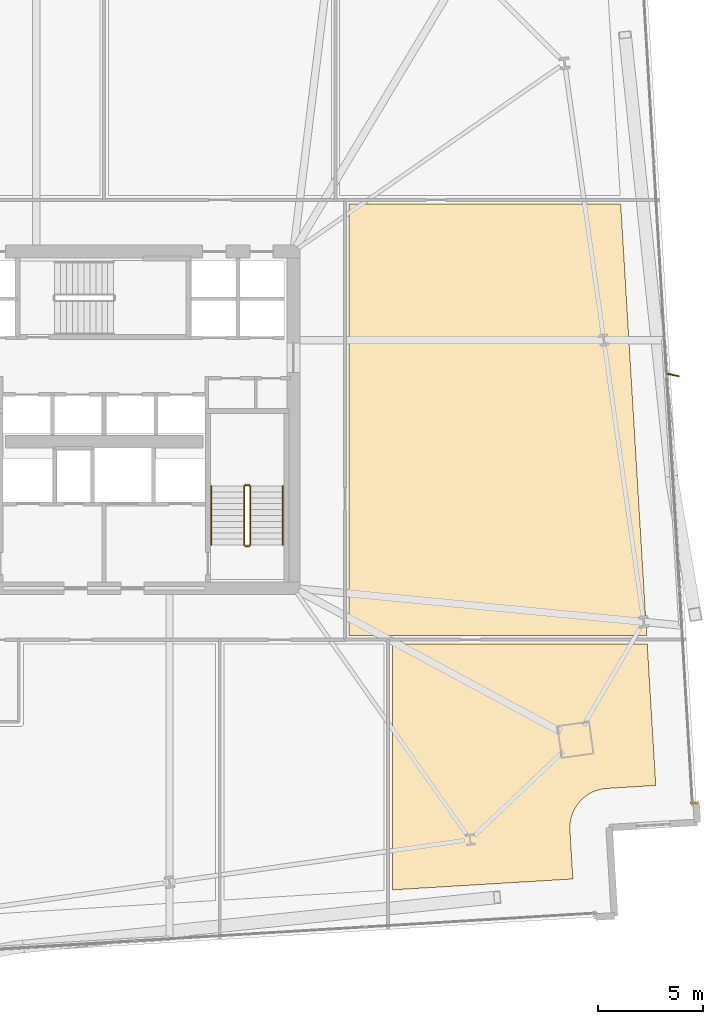
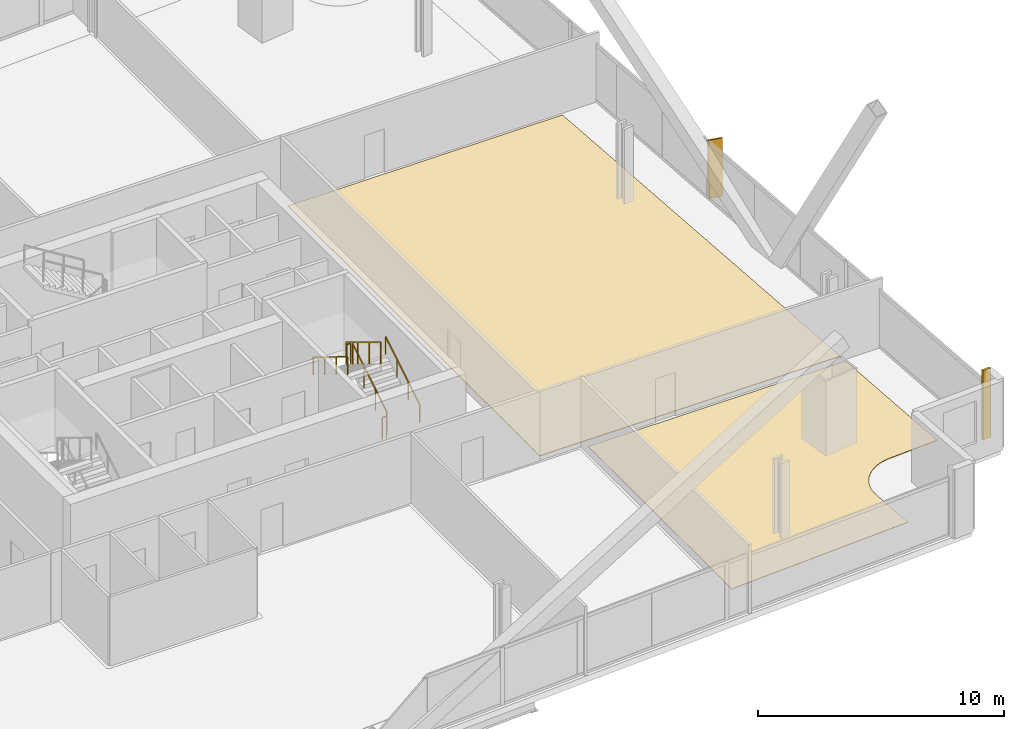
# One storey, part 32 of 34: 6 railings, 3 coverings, 1 shading device.
"""IFC4 building model written with IfcOpenShell, lengths in metres."""

from ifc_helpers import new_model, si_unit, direction, frame, origin, origin_2d, place, context, subcontext, project, spatial, polyline, rectangle, outline, extrude, source, transform, mapped, material, layer, layer_set, type_object, element, save


model = new_model("IFC4")

# Units and contexts
model_context = context("Model", 3, precision=1e-05, world=origin(), true_north=direction((0.0, 1.0)))
body_context = subcontext(model_context, "Body", "Model", "MODEL_VIEW")
ifc_project = project(units=[si_unit("LENGTHUNIT", "METRE"), si_unit("AREAUNIT", "SQUARE_METRE"), si_unit("VOLUMEUNIT", "CUBIC_METRE"), si_unit("PLANEANGLEUNIT", "RADIAN"), si_unit("MASSUNIT", "GRAM", prefix="KILO")], contexts=[model_context])

# Site, building, storey
site_placement = place(None, origin())
site = spatial("IfcSite", under=ifc_project, at=site_placement, CompositionType="ELEMENT")
building_placement = place(site_placement, origin())
building = spatial("IfcBuilding", under=site, at=building_placement, Name="Haldenkirk Collegiate Tower", CompositionType="ELEMENT")
storey_placement = place(building_placement, frame((0.0, 0.0, 40.199951171875)))
storey = spatial("IfcBuildingStorey", under=building, at=storey_placement, Name="L08", CompositionType="ELEMENT", Elevation=40.199951171875)

# Coverings
ifc_material_1 = material(Name="Polished collegiate terrazzo", Category="concrete")
ifc_layer_1 = layer(ifc_material_1, 0.02490234375)
ifc_layer_set_1 = layer_set([ifc_layer_1], Name="Polished collegiate terrazzo")
covering_type_1 = type_object("IfcCoveringType", Name="COV-FLOOR-TERRAZZO", PredefinedType="FLOORING", material=ifc_layer_set_1)
covering_1_placement = place(storey_placement, origin())
element("IfcCovering", 1, at=covering_1_placement, inside=storey, type_object=covering_type_1, Name="L08 academic room finish 12", PredefinedType="FLOORING", context=body_context, shape_type="SweptSolid", body=[
    extrude(outline(polyline([(61.793701171875, 15.75), (47.64990234375, 15.75), (47.64990234375, 36.25), (60.5576171875, 36.25), (61.793701171875, 15.75)])), origin(), (0.0, 0.0, 1.0), 0.025146484375),
])
ifc_material_2 = material(Name="Engineered collegiate oak acoustic flooring", Category="wood")
ifc_layer_2 = layer(ifc_material_2, 0.02197265625)
ifc_layer_set_2 = layer_set([ifc_layer_2], Name="Engineered collegiate oak acoustic flooring")
covering_type_2 = type_object("IfcCoveringType", Name="COV-FLOOR-TIMBER", PredefinedType="FLOORING", material=ifc_layer_set_2)
covering_2_placement = place(storey_placement, origin())
element("IfcCovering", 2, at=covering_2_placement, inside=storey, type_object=covering_type_2, Name="L08 academic room finish 03", PredefinedType="FLOORING", context=body_context, shape_type="SweptSolid", body=[
    extrude(outline(polyline([(62.2236328125, 8.61669921875), (59.89794921875, 8.476318359375), (59.89208984375, 8.475830078125), (59.72119140625, 8.45703125), (59.709716796875, 8.455078125), (59.54150390625, 8.419921875), (59.5302734375, 8.416748046875), (59.366455078125, 8.364990234375), (59.35546875, 8.361083984375), (59.197509765625, 8.293701171875), (59.186767578125, 8.28857421875), (59.036376953125, 8.205810546875), (59.0263671875, 8.19970703125), (58.884521484375, 8.1025390625), (58.875, 8.095458984375), (58.74365234375, 7.985107421875), (58.735107421875, 7.97705078125), (58.614990234375, 7.854248046875), (58.607177734375, 7.845458984375), (58.499755859375, 7.711669921875), (58.492919921875, 7.701904296875), (58.39892578125, 7.55810546875), (58.39306640625, 7.548095703125), (58.313720703125, 7.395751953125), (58.308837890625, 7.385009765625), (58.244873046875, 7.2255859375), (58.240966796875, 7.21435546875), (58.193115234375, 7.049560546875), (58.190185546875, 7.0380859375), (58.15869140625, 6.869384765625), (58.156982421875, 6.857666015625), (58.14208984375, 6.6865234375), (58.1416015625, 6.6748046875), (58.1435546875, 6.503173828125), (58.143798828125, 6.497314453125), (58.283935546875, 4.17138671875), (49.699951171875, 3.654052734375), (49.699951171875, 15.35009765625), (61.817626953125, 15.35009765625), (62.2236328125, 8.61669921875)])), origin(), (0.0, 0.0, 1.0), 0.02197265625),
])

# Railings
ifc_material_3 = material(Name="Painted architectural tubular steel", Category="steel")
railing_type_1 = type_object("IfcRailingType", Name="RLG-STAIR-GUARD-1100", PredefinedType="BALUSTRADE", material=ifc_material_3)
railing_1_placement = place(storey_placement, frame((42.949951171875, 20.050048828125, 0.17041015625)))
element("IfcRailing", 3, at=railing_1_placement, inside=storey, type_object=railing_type_1, Name="L08 ST-2 stair guard 1", PredefinedType="BALUSTRADE", context=body_context, shape_type="SweptSolid", body=[
    extrude(rectangle(XDim=0.048095703125, YDim=0.048095703125, at=origin_2d()), frame((0.0, 0.0, 1.076171875), z_axis=(0.0, 0.854169791009, 0.51999420009), x_axis=(-1.0, 0.0, 0.0)), (0.0, 0.0, 1.0), 3.278076171875),
    extrude(rectangle(XDim=0.0419921875, YDim=0.0419921875, at=origin_2d()), origin(), (0.0, 0.0, 1.0), 1.052001953125),
    extrude(rectangle(XDim=0.0419921875, YDim=0.0419921875, at=origin_2d()), frame((0.0, 0.933349609375, 0.568115234375)), (0.0, 0.0, 1.0), 1.052001953125),
    extrude(rectangle(XDim=0.0419921875, YDim=0.0419921875, at=origin_2d()), frame((0.0, 1.86669921875, 1.136474609375)), (0.0, 0.0, 1.0), 1.052001953125),
    extrude(rectangle(XDim=0.0419921875, YDim=0.0419921875, at=origin_2d()), frame((0.0, 2.800048828125, 1.70458984375)), (0.0, 0.0, 1.0), 1.052001953125),
])
railing_2_placement = place(storey_placement, frame((42.89990234375, 22.89990234375, 1.875)))
element("IfcRailing", 4, at=railing_2_placement, inside=storey, type_object=railing_type_1, Name="L08 ST-2 stair guard 2", PredefinedType="BALUSTRADE", context=body_context, shape_type="SweptSolid", body=[
    extrude(rectangle(XDim=0.048095703125, YDim=0.048095703125, at=origin_2d()), frame((0.0, 0.0, 1.076171875), z_axis=(-1.0, 0.0, 0.0), x_axis=(0.0, -1.0, 0.0)), (0.0, 0.0, 1.0), 0.199951171875),
    extrude(rectangle(XDim=0.0419921875, YDim=0.0419921875, at=origin_2d()), origin(), (0.0, 0.0, 1.0), 1.052001953125),
    extrude(rectangle(XDim=0.0419921875, YDim=0.0419921875, at=origin_2d()), frame((-0.199951171875, 0.0, 0.0)), (0.0, 0.0, 1.0), 1.052001953125),
])
railing_3_placement = place(storey_placement, frame((42.64990234375, 22.85009765625, 2.04541015625)))
element("IfcRailing", 5, at=railing_3_placement, inside=storey, type_object=railing_type_1, Name="L08 ST-2 stair guard 3", PredefinedType="BALUSTRADE", context=body_context, shape_type="SweptSolid", body=[
    extrude(rectangle(XDim=0.048095703125, YDim=0.048095703125, at=origin_2d()), frame((0.0, 0.0, 1.076171875), z_axis=(0.0, -0.854169791009, 0.51999420009), x_axis=(1.0, 0.0, 0.0)), (0.0, 0.0, 1.0), 3.278076171875),
    extrude(rectangle(XDim=0.0419921875, YDim=0.0419921875, at=origin_2d()), origin(), (0.0, 0.0, 1.0), 1.052001953125),
    extrude(rectangle(XDim=0.0419921875, YDim=0.0419921875, at=origin_2d()), frame((0.0, -0.933349609375, 0.568115234375)), (0.0, 0.0, 1.0), 1.052001953125),
    extrude(rectangle(XDim=0.0419921875, YDim=0.0419921875, at=origin_2d()), frame((0.0, -1.86669921875, 1.136474609375)), (0.0, 0.0, 1.0), 1.052001953125),
    extrude(rectangle(XDim=0.0419921875, YDim=0.0419921875, at=origin_2d()), frame((0.0, -2.800048828125, 1.70458984375)), (0.0, 0.0, 1.0), 1.052001953125),
])
railing_4_placement = place(storey_placement, frame((42.89990234375, 20.0, 0.0)))
element("IfcRailing", 6, at=railing_4_placement, inside=storey, type_object=railing_type_1, Name="L08 ST-2 stair guard 4", PredefinedType="BALUSTRADE", context=body_context, shape_type="SweptSolid", body=[
    extrude(rectangle(XDim=0.048095703125, YDim=0.048095703125, at=origin_2d()), frame((0.0, 0.0, 1.076171875), z_axis=(-1.0, 0.0, 0.0), x_axis=(0.0, -1.0, 0.0)), (0.0, 0.0, 1.0), 0.199951171875),
    extrude(rectangle(XDim=0.0419921875, YDim=0.0419921875, at=origin_2d()), origin(), (0.0, 0.0, 1.0), 1.052001953125),
    extrude(rectangle(XDim=0.0419921875, YDim=0.0419921875, at=origin_2d()), frame((-0.199951171875, 0.0, 0.0)), (0.0, 0.0, 1.0), 1.052001953125),
])
railing_type_2 = type_object("IfcRailingType", Name="RLG-STAIR-HANDRAIL-900", PredefinedType="HANDRAIL", material=ifc_material_3)
railing_5_placement = place(storey_placement, frame((44.5, 20.050048828125, 0.17041015625)))
element("IfcRailing", 7, at=railing_5_placement, inside=storey, type_object=railing_type_2, Name="L08 ST-2 stair handrail 1", PredefinedType="HANDRAIL", context=body_context, shape_type="SweptSolid", body=[
    extrude(rectangle(XDim=0.048095703125, YDim=0.048095703125, at=origin_2d()), frame((0.0, 0.0, 0.8759765625), z_axis=(0.0, 0.854169791009, 0.51999420009), x_axis=(-1.0, 0.0, 0.0)), (0.0, 0.0, 1.0), 3.278076171875),
    extrude(rectangle(XDim=0.0419921875, YDim=0.0419921875, at=origin_2d()), origin(), (0.0, 0.0, 1.0), 0.851806640625),
    extrude(rectangle(XDim=0.0419921875, YDim=0.0419921875, at=origin_2d()), frame((0.0, 0.933349609375, 0.568115234375)), (0.0, 0.0, 1.0), 0.851806640625),
    extrude(rectangle(XDim=0.0419921875, YDim=0.0419921875, at=origin_2d()), frame((0.0, 1.86669921875, 1.136474609375)), (0.0, 0.0, 1.0), 0.851806640625),
    extrude(rectangle(XDim=0.0419921875, YDim=0.0419921875, at=origin_2d()), frame((0.0, 2.800048828125, 1.70458984375)), (0.0, 0.0, 1.0), 0.851806640625),
])
railing_6_placement = place(storey_placement, frame((41.10009765625, 22.85009765625, 2.04541015625)))
element("IfcRailing", 8, at=railing_6_placement, inside=storey, type_object=railing_type_2, Name="L08 ST-2 stair handrail 2", PredefinedType="HANDRAIL", context=body_context, shape_type="SweptSolid", body=[
    extrude(rectangle(XDim=0.048095703125, YDim=0.048095703125, at=origin_2d()), frame((0.0, 0.0, 0.8759765625), z_axis=(0.0, -0.854169791009, 0.51999420009), x_axis=(1.0, 0.0, 0.0)), (0.0, 0.0, 1.0), 3.278076171875),
    extrude(rectangle(XDim=0.0419921875, YDim=0.0419921875, at=origin_2d()), origin(), (0.0, 0.0, 1.0), 0.851806640625),
    extrude(rectangle(XDim=0.0419921875, YDim=0.0419921875, at=origin_2d()), frame((0.0, -0.933349609375, 0.568115234375)), (0.0, 0.0, 1.0), 0.851806640625),
    extrude(rectangle(XDim=0.0419921875, YDim=0.0419921875, at=origin_2d()), frame((0.0, -1.86669921875, 1.136474609375)), (0.0, 0.0, 1.0), 0.851806640625),
    extrude(rectangle(XDim=0.0419921875, YDim=0.0419921875, at=origin_2d()), frame((0.0, -2.800048828125, 1.70458984375)), (0.0, 0.0, 1.0), 0.851806640625),
])

# Covering
ifc_material_4 = material(Name="Anodised architectural bronze aluminium", Category="aluminium")
ifc_layer_3 = layer(ifc_material_4, 0.06005859375)
ifc_layer_set_3 = layer_set([ifc_layer_3], Name="Anodised architectural bronze aluminium")
covering_type_3 = type_object("IfcCoveringType", Name="COV-CLAD-BRONZE-60", PredefinedType="CLADDING", material=ifc_layer_set_3)
shared_shape_1 = source(origin(), body_context, "Body", "SweptSolid", [
    extrude(rectangle(XDim=0.10009765625, YDim=0.3798828125, at=origin_2d()), origin(), (0.0, 0.0, 1.0), 3.43994140625),
])
covering_3_placement = place(storey_placement, frame((64.056884765625, 7.785400390625, 0.0), z_axis=(0.0, 0.0, 1.0), x_axis=(0.060177479469, -0.998187693254, 0.0)))
element("IfcCovering", 9, at=covering_3_placement, inside=storey, type_object=covering_type_3, Name="L08 recessed curtain-wall bronze jamb closure EJR", PredefinedType="CLADDING", context=body_context, shape_type="MappedRepresentation", body=[
    mapped(shared_shape_1, transform((0.0, 0.0, 0.0), x_axis=(1.0, 0.0, 0.0), y_axis=(0.0, 1.0, 0.0), z_axis=(0.0, 0.0, 1.0), scale=1.0)),
])

# Shading device
ifc_layer_4 = layer(ifc_material_4, 0.06494140625)
ifc_layer_set_4 = layer_set([ifc_layer_4], Name="Anodised architectural bronze aluminium")
shading_device_type = type_object("IfcShadingDeviceType", Name="SHD-FIN-BRONZE-620", PredefinedType="USERDEFINED", material=ifc_layer_set_4)
shared_shape_2 = source(origin(), body_context, "Body", "SweptSolid", [
    extrude(rectangle(XDim=0.6201171875, YDim=0.06494140625, at=origin_2d()), origin(), (0.0, 0.0, 1.0), 2.89111328125),
])
shading_device_placement = place(storey_placement, frame((63.035888671875, 28.130859375, 0.0), z_axis=(0.0, 0.0, 1.0), x_axis=(0.976106756203, -0.217291510406, 0.0)))
element("IfcShadingDevice", 10, at=shading_device_placement, inside=storey, type_object=shading_device_type, Name="L08 folded bronze solar fin 1", ObjectType="FIN", PredefinedType="USERDEFINED", context=body_context, shape_type="MappedRepresentation", body=[
    mapped(shared_shape_2, transform((0.0, 0.0, 0.0), x_axis=(1.0, 0.0, 0.0), y_axis=(0.0, 1.0, 0.0), z_axis=(0.0, 0.0, 1.0), scale=1.0)),
])

save(model, "model.ifc")
